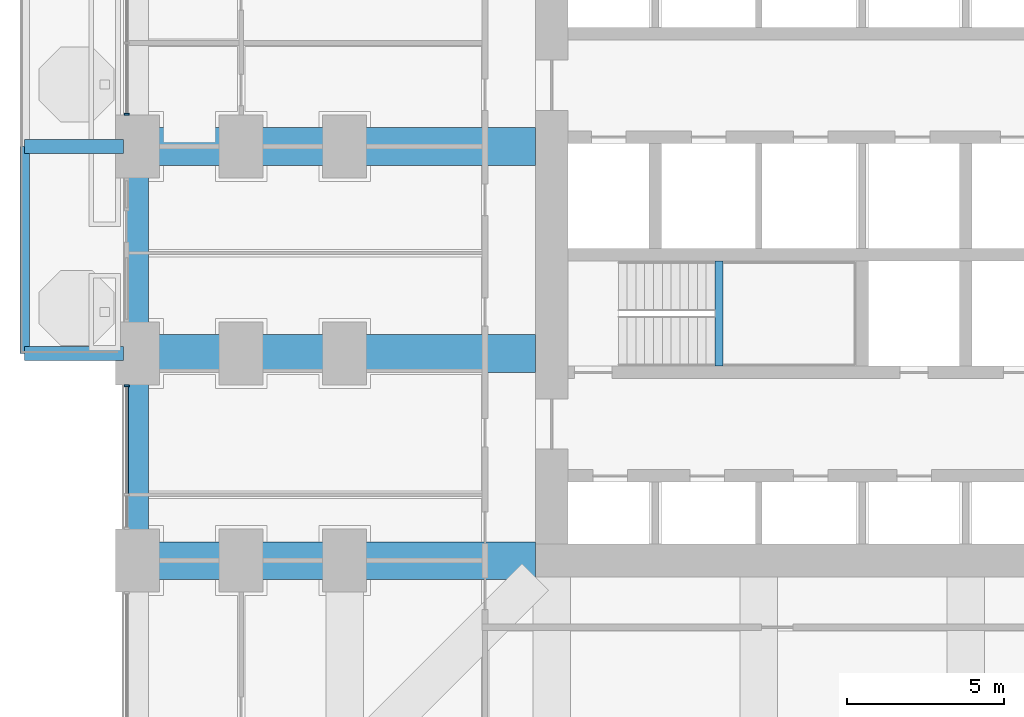
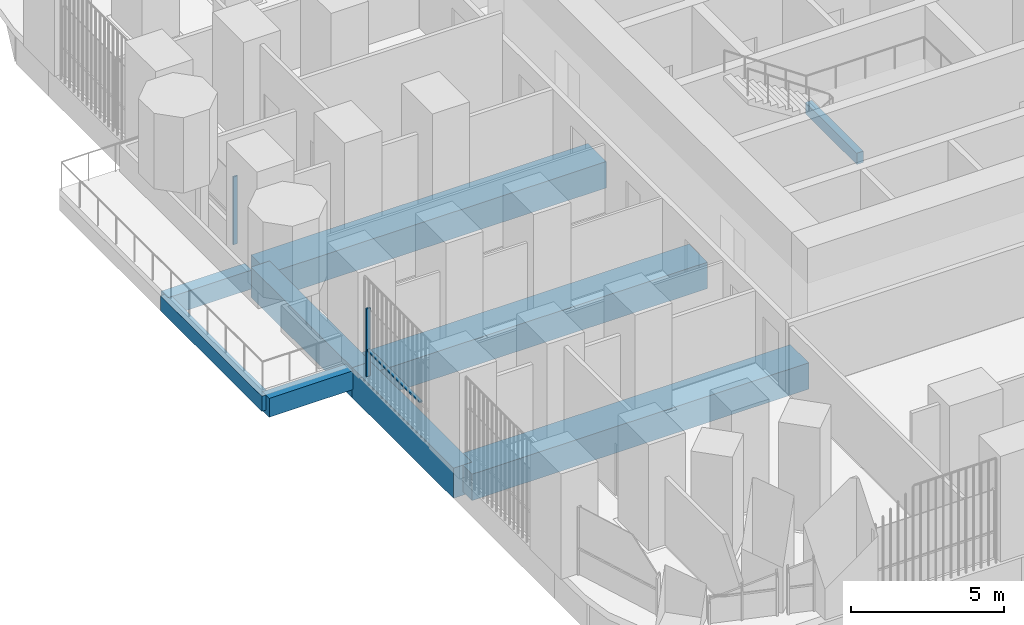
# One storey, part 3 of 24: 9 beams, 3 members, 2 elements without a shape of their own.
"""IFC4 building model written with IfcOpenShell, lengths in metres."""

from ifc_helpers import new_model, si_unit, direction, frame, origin, origin_2d, place, context, subcontext, project, spatial, rectangle, extrude, material, material_profile, profile_set, type_object, element, aggregate, save


model = new_model("IFC4")

# Units and contexts
model_context = context("Model", 3, precision=1e-05, world=origin(), true_north=direction((0.0, 1.0)))
body_context = subcontext(model_context, "Body", "Model", "MODEL_VIEW")
ifc_project = project(units=[si_unit("LENGTHUNIT", "METRE"), si_unit("AREAUNIT", "SQUARE_METRE"), si_unit("VOLUMEUNIT", "CUBIC_METRE"), si_unit("PLANEANGLEUNIT", "RADIAN"), si_unit("MASSUNIT", "GRAM", prefix="KILO")], contexts=[model_context])

# Site, building, storey
site_placement = place(None, origin())
site = spatial("IfcSite", under=ifc_project, at=site_placement, CompositionType="ELEMENT")
building_placement = place(site_placement, origin())
building = spatial("IfcBuilding", under=site, at=building_placement, Name="Cobogo Forest Laboratory Tower", CompositionType="ELEMENT")
storey_placement = place(building_placement, frame((0.0, 0.0, 17.10009765625)))
storey = spatial("IfcBuildingStorey", under=building, at=storey_placement, Name="L03", CompositionType="ELEMENT", Elevation=17.10009765625)

# Beams
ifc_material_1 = material(Name="Concrete HA-40 (C40/50)", Category="concrete")
ifc_material_profile_1 = material_profile(ifc_material_1, rectangle(XDim=0.449951171875, YDim=0.75, at=origin_2d()), Name="RC 450x750")
ifc_profile_set_1 = profile_set([ifc_material_profile_1], Name="Concrete HA-40 (C40/50)")
beam_type_1 = type_object("IfcBeamType", Name="Balcony cantilever beam 450x750", PredefinedType="BEAM", material=ifc_profile_set_1)
for number, where, z_axis, x_axis, name in (
    (1, (-0.449951171875, 19.800048828125, -0.625), (-1.0, 0.0, 0.0), (0.0, -1.0, 0.0), "CB1 BAL-W1-C1 L03"),
    (2, (-0.449951171875, 26.39990234375, -0.625), (-1.0, 0.0, 0.0), (0.0, -1.0, 0.0), "CB1 BAL-W1-C2 L03"),
):
    element("IfcBeam", number, at=place(storey_placement, frame(where, z_axis=z_axis, x_axis=x_axis)), inside=storey, type_object=beam_type_1, Name=name, PredefinedType="BEAM", context=body_context, shape_type="SweptSolid", body=[
        extrude(rectangle(XDim=0.449951171875, YDim=0.75, at=origin_2d()), origin(), (0.0, 0.0, 1.0), 3.150146484375),
    ])
ifc_material_profile_2 = material_profile(ifc_material_1, rectangle(XDim=0.300048828125, YDim=0.60009765625, at=origin_2d()), Name="RC 300x600")
ifc_profile_set_2 = profile_set([ifc_material_profile_2], Name="Concrete HA-40 (C40/50)")
beam_type_2 = type_object("IfcBeamType", Name="Balcony edge beam 300x600", PredefinedType="BEAM", material=ifc_profile_set_2)
beam_1_placement = place(storey_placement, frame((-3.60009765625, 19.800048828125, -0.550048828125), z_axis=(0.0, 1.0, 0.0), x_axis=(-1.0, 0.0, 0.0)))
element("IfcBeam", 3, at=beam_1_placement, inside=storey, type_object=beam_type_2, Name="BB1 BAL-W1-T1 L03", PredefinedType="BEAM", context=body_context, shape_type="SweptSolid", body=[
    extrude(rectangle(XDim=0.300048828125, YDim=0.60009765625, at=origin_2d()), origin(), (0.0, 0.0, 1.0), 6.599853515625),
])
ifc_material_profile_3 = material_profile(ifc_material_1, rectangle(XDim=0.25, YDim=0.449951171875, at=origin_2d()), Name="RC 250x450")
ifc_profile_set_3 = profile_set([ifc_material_profile_3], Name="Concrete HA-40 (C40/50)")
beam_type_3 = type_object("IfcBeamType", Name="LB1 landing beam 250x450", PredefinedType="BEAM", material=ifc_profile_set_3)
beam_2_placement = place(storey_placement, frame((18.530029296875, 19.39990234375, 1.6748046875), z_axis=(0.0, 1.0, 0.0), x_axis=(-1.0, 0.0, 0.0)))
element("IfcBeam", 4, at=beam_2_placement, inside=storey, type_object=beam_type_3, Name="Landing beam ST1 L03", PredefinedType="BEAM", context=body_context, shape_type="SweptSolid", body=[
    extrude(rectangle(XDim=0.25, YDim=0.449951171875, at=origin_2d()), origin(), (0.0, 0.0, 1.0), 3.35009765625),
])
ifc_material_profile_4 = material_profile(ifc_material_1, rectangle(XDim=1.199951171875, YDim=1.050048828125, at=origin_2d()), Name="RC 1200x1050")
ifc_profile_set_4 = profile_set([ifc_material_profile_4], Name="Concrete HA-40 (C40/50)")
beam_type_4 = type_object("IfcBeamType", Name="Laboratory floor wide beam 1200x1050", PredefinedType="BEAM", material=ifc_profile_set_4)
for number, where, z_axis, x_axis, name in (
    (5, (12.675048828125, 13.199951171875, -0.8251953125), (-1.0, 0.0, 0.0), (0.0, -1.0, 0.0), "RB1 R-C-W L03"),
    (6, (12.675048828125, 19.800048828125, -0.8251953125), (-1.0, 0.0, 0.0), (0.0, -1.0, 0.0), "RB1 R-D-W L03"),
    (7, (12.675048828125, 26.39990234375, -0.8251953125), (-1.0, 0.0, 0.0), (0.0, -1.0, 0.0), "RB1 R-E-W L03"),
):
    element("IfcBeam", number, at=place(storey_placement, frame(where, z_axis=z_axis, x_axis=x_axis)), inside=storey, type_object=beam_type_4, Name=name, PredefinedType="BEAM", context=body_context, shape_type="SweptSolid", body=[
        extrude(rectangle(XDim=1.199951171875, YDim=1.050048828125, at=origin_2d()), origin(), (0.0, 0.0, 1.0), 12.675048828125),
    ])

# Curtain wall, member
ifc_material_2 = material(Name="Aluminium curtain wall", Category="aluminium")
curtain_wall_type = type_object("IfcCurtainWallType", Name="CW-1 unitised curtain wall, clear glazing, laboratory floors zones A and B", PredefinedType="USERDEFINED", material=ifc_material_2)
curtain_wall_1_placement = place(storey_placement, origin())
curtain_wall_1 = element("IfcCurtainWall", 8, at=curtain_wall_1_placement, inside=storey, type_object=curtain_wall_type, Name="Curtain wall 28 L03", ObjectType="UNITISED CURTAIN WALL", PredefinedType="USERDEFINED")
ifc_material_3 = material(Name="Aluminium mullion", Category="aluminium")
ifc_material_profile_5 = material_profile(ifc_material_3, rectangle(XDim=0.06005859375, YDim=0.159912109375, at=origin_2d()), Name="AL 60x160")
ifc_profile_set_5 = profile_set([ifc_material_profile_5], Name="Aluminium mullion")
member_type_1 = type_object("IfcMemberType", Name="MU-1 aluminium mullion 60x160", PredefinedType="MULLION", material=ifc_profile_set_5)
member_1_placement = place(storey_placement, frame((-0.35009765625, 27.429931640625, 0.0), z_axis=(0.0, 0.0, 1.0), x_axis=(0.0, -1.0, 0.0)))
member_1 = element("IfcMember", 9, at=member_1_placement, type_object=member_type_1, Name="CW-1 mullion 3", PredefinedType="MULLION", context=body_context, shape_type="SweptSolid", body=[
    extrude(rectangle(XDim=0.06005859375, YDim=0.159912109375, at=origin_2d()), origin(), (0.0, 0.0, 1.0), 2.699951171875),
])
aggregate(curtain_wall_1, [member_1])

curtain_wall_2_placement = place(storey_placement, origin())
curtain_wall_2 = element("IfcCurtainWall", 10, at=curtain_wall_2_placement, inside=storey, type_object=curtain_wall_type, Name="Curtain wall 30 L03", ObjectType="UNITISED CURTAIN WALL", PredefinedType="USERDEFINED")
member_2_placement = place(storey_placement, frame((-0.35009765625, 18.77001953125, 0.0), z_axis=(0.0, 0.0, 1.0), x_axis=(0.0, -1.0, 0.0)))
member_2 = element("IfcMember", 11, at=member_2_placement, type_object=member_type_1, Name="CW-1 mullion 1", PredefinedType="MULLION", context=body_context, shape_type="SweptSolid", body=[
    extrude(rectangle(XDim=0.06005859375, YDim=0.159912109375, at=origin_2d()), origin(), (0.0, 0.0, 1.0), 2.699951171875),
])

# Beams
ifc_material_profile_6 = material_profile(ifc_material_1, rectangle(XDim=0.699951171875, YDim=1.199951171875, at=origin_2d()), Name="RC 700x1200")
ifc_profile_set_6 = profile_set([ifc_material_profile_6], Name="Concrete HA-40 (C40/50)")
beam_type_5 = type_object("IfcBeamType", Name="Perimeter edge beam 700x1200", PredefinedType="BEAM", material=ifc_profile_set_6)
beam_3_placement = place(storey_placement, frame((0.0, 13.199951171875, -0.900146484375), z_axis=(0.0, 1.0, 0.0), x_axis=(-1.0, 0.0, 0.0)))
element("IfcBeam", 12, at=beam_3_placement, inside=storey, type_object=beam_type_5, Name="EB1 E-W2 L03", PredefinedType="BEAM", context=body_context, shape_type="SweptSolid", body=[
    extrude(rectangle(XDim=0.699951171875, YDim=1.199951171875, at=origin_2d()), origin(), (0.0, 0.0, 1.0), 6.60009765625),
])
beam_4_placement = place(storey_placement, frame((0.0, 19.800048828125, -0.900146484375), z_axis=(0.0, 1.0, 0.0), x_axis=(-1.0, 0.0, 0.0)))
element("IfcBeam", 13, at=beam_4_placement, inside=storey, type_object=beam_type_5, Name="EB1 E-W3 L03", PredefinedType="BEAM", context=body_context, shape_type="SweptSolid", body=[
    extrude(rectangle(XDim=0.699951171875, YDim=1.199951171875, at=origin_2d()), origin(), (0.0, 0.0, 1.0), 6.599853515625),
])

# Member
ifc_material_4 = material(Name="Aluminium transom", Category="aluminium")
ifc_material_profile_7 = material_profile(ifc_material_4, rectangle(XDim=0.1201171875, YDim=0.06005859375, at=origin_2d()), Name="AL 60x120")
ifc_profile_set_7 = profile_set([ifc_material_profile_7], Name="Aluminium transom")
member_type_2 = type_object("IfcMemberType", Name="TR-1 aluminium transom 60x120", PredefinedType="USERDEFINED", material=ifc_profile_set_7)
member_3_placement = place(storey_placement, frame((-0.35009765625, 18.739990234375, 1.0498046875), z_axis=(0.0, -1.0, 0.0), x_axis=(1.0, 0.0, 0.0)))
member_3 = element("IfcMember", 14, at=member_3_placement, type_object=member_type_2, Name="CW-1 transom 1.1", ObjectType="TRANSOM", PredefinedType="USERDEFINED", context=body_context, shape_type="SweptSolid", body=[
    extrude(rectangle(XDim=0.1201171875, YDim=0.06005859375, at=origin_2d()), origin(), (0.0, 0.0, 1.0), 3.409912109375),
])

aggregate(curtain_wall_2, [member_2, member_3])

save(model, "model.ifc")
